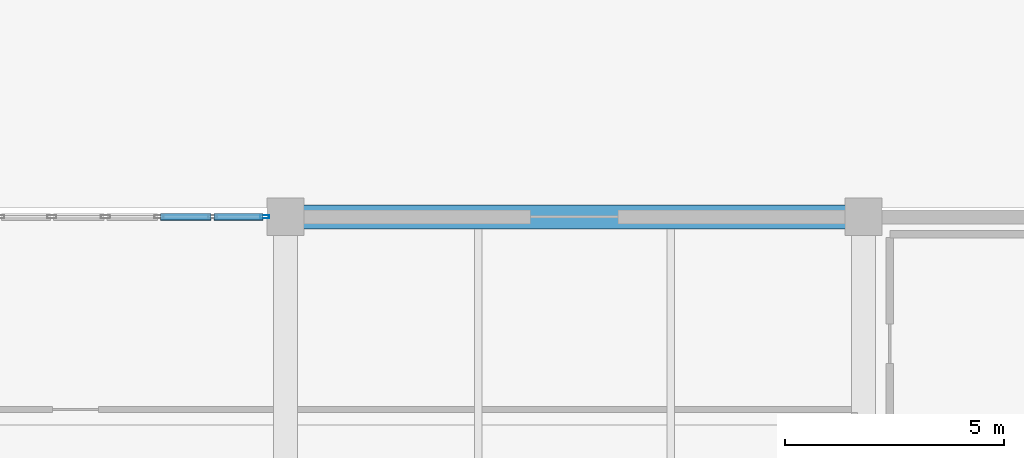
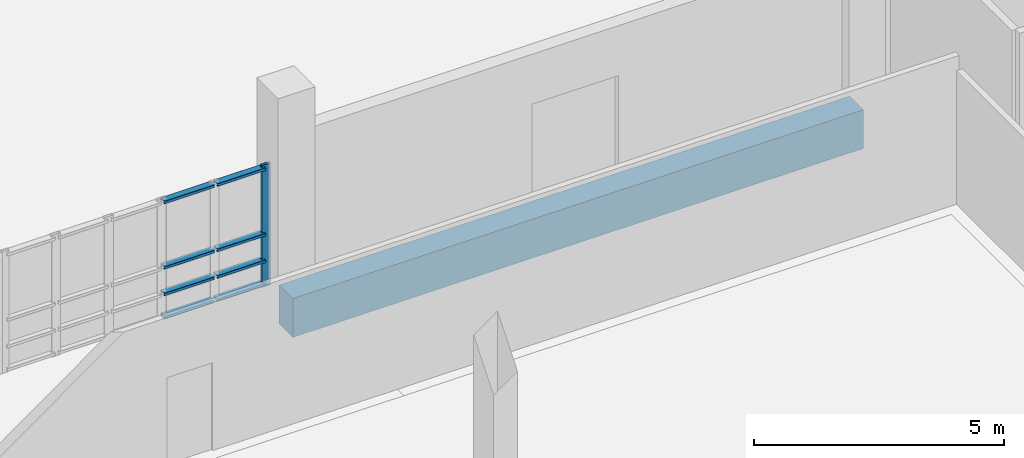
# One storey, part 39 of 97: 9 members, 1 beam, 1 element without a shape of its own.
"""IFC4 building model written with IfcOpenShell, lengths in metres."""

from ifc_helpers import new_model, si_unit, direction, frame, origin, origin_2d, place, context, subcontext, project, spatial, rectangle, hollow_rectangle, extrude, material, layer, layer_set, material_profile, profile_set, type_object, element, aggregate, save


model = new_model("IFC4")

# Units and contexts
model_context = context("Model", 3, precision=1e-05, world=origin(), true_north=direction((0.0, 1.0)))
body_context = subcontext(model_context, "Body", "Model", "MODEL_VIEW")
ifc_project = project(units=[si_unit("LENGTHUNIT", "METRE"), si_unit("AREAUNIT", "SQUARE_METRE"), si_unit("VOLUMEUNIT", "CUBIC_METRE"), si_unit("PLANEANGLEUNIT", "RADIAN"), si_unit("MASSUNIT", "GRAM", prefix="KILO")], contexts=[model_context])

# Site, building, storey
site_placement = place(None, origin())
site = spatial("IfcSite", under=ifc_project, at=site_placement, CompositionType="ELEMENT")
building_placement = place(site_placement, origin())
building = spatial("IfcBuilding", under=site, at=building_placement, Name="Kisaragi Civic Commons", CompositionType="ELEMENT")
storey_placement = place(building_placement, origin())
storey = spatial("IfcBuildingStorey", under=building, at=storey_placement, Name="L00", CompositionType="ELEMENT", Elevation=0.0)

# Curtain wall, members
ifc_material_1 = material(Name="Thermally broken anodized aluminium and low-E double glazing", Category="aluminium")
ifc_layer = layer(ifc_material_1, 0.2099609375, Name="Thermally broken anodized aluminium and low-E double glazing", Category="aluminium")
ifc_layer_set = layer_set([ifc_layer], Name="Thermally broken anodized aluminium and low-E double glazing")
curtain_wall_type = type_object("IfcCurtainWallType", Name="CW-02", PredefinedType="NOTDEFINED", material=ifc_layer_set)
curtain_wall_placement = place(storey_placement, origin())
curtain_wall = element("IfcCurtainWall", 1, at=curtain_wall_placement, inside=storey, type_object=curtain_wall_type, Name="L00 curtain wall CW-02 CW-V3-L00-010", PredefinedType="NOTDEFINED")
ifc_material_profile_1 = material_profile(ifc_material_1, hollow_rectangle(XDim=0.070068359375, YDim=0.2099609375, WallThickness=0.0048828125, InnerFilletRadius=0.0048828125, OuterFilletRadius=0.010009765625, at=origin_2d()), Name="CWM-70x210x5", Category="aluminium")
ifc_profile_set_1 = profile_set([ifc_material_profile_1], Name="Thermally broken anodized aluminium and low-E double glazing")
member_type_1 = type_object("IfcMemberType", Name="CWM-03", PredefinedType="MULLION", material=ifc_profile_set_1)
member_1_placement = place(storey_placement, frame((145.925048828125, 25.199951171875, 0.0), z_axis=(0.0, 0.0, 1.0), x_axis=(0.0, 1.0, 0.0)))
member_1 = element("IfcMember", 2, at=member_1_placement, type_object=member_type_1, Name="CW-02 mullion 6", PredefinedType="MULLION", context=body_context, shape_type="SweptSolid", body=[
    extrude(hollow_rectangle(XDim=0.070068359375, YDim=0.2099609375, WallThickness=0.0048828125, InnerFilletRadius=0.0048828125, OuterFilletRadius=0.010009765625, at=origin_2d()), origin(), (0.0, 0.0, 1.0), 2.97998046875),
])
ifc_material_profile_2 = material_profile(ifc_material_1, hollow_rectangle(XDim=0.159912109375, YDim=0.070068359375, WallThickness=0.0048828125, InnerFilletRadius=0.0048828125, OuterFilletRadius=0.010009765625, at=origin_2d()), Name="CWT-70x160x5", Category="aluminium")
ifc_profile_set_2 = profile_set([ifc_material_profile_2], Name="Thermally broken anodized aluminium and low-E double glazing")
member_type_2 = type_object("IfcMemberType", Name="CWT-03", PredefinedType="USERDEFINED", material=ifc_profile_set_2)
member_2_placement = place(storey_placement, frame((143.547119140625, 25.199951171875, 0.080078125), z_axis=(1.0, 0.0, 0.0), x_axis=(0.0, 1.0, 0.0)))
member_2 = element("IfcMember", 3, at=member_2_placement, type_object=member_type_2, Name="CW-02 transom 4.1", ObjectType="TRANSOM", PredefinedType="USERDEFINED", context=body_context, shape_type="SweptSolid", body=[
    extrude(hollow_rectangle(XDim=0.159912109375, YDim=0.070068359375, WallThickness=0.0048828125, InnerFilletRadius=0.0048828125, OuterFilletRadius=0.010009765625, at=origin_2d()), origin(), (0.0, 0.0, 1.0), 1.15380859375),
])
member_3_placement = place(storey_placement, frame((143.547119140625, 25.199951171875, 0.64990234375), z_axis=(1.0, 0.0, 0.0), x_axis=(0.0, 1.0, 0.0)))
member_3 = element("IfcMember", 4, at=member_3_placement, type_object=member_type_2, Name="CW-02 transom 4.2", ObjectType="TRANSOM", PredefinedType="USERDEFINED", context=body_context, shape_type="SweptSolid", body=[
    extrude(hollow_rectangle(XDim=0.159912109375, YDim=0.070068359375, WallThickness=0.0048828125, InnerFilletRadius=0.0048828125, OuterFilletRadius=0.010009765625, at=origin_2d()), origin(), (0.0, 0.0, 1.0), 1.15380859375),
])
member_4_placement = place(storey_placement, frame((143.547119140625, 25.199951171875, 1.300048828125), z_axis=(1.0, 0.0, 0.0), x_axis=(0.0, 1.0, 0.0)))
member_4 = element("IfcMember", 5, at=member_4_placement, type_object=member_type_2, Name="CW-02 transom 4.3", ObjectType="TRANSOM", PredefinedType="USERDEFINED", context=body_context, shape_type="SweptSolid", body=[
    extrude(hollow_rectangle(XDim=0.159912109375, YDim=0.070068359375, WallThickness=0.0048828125, InnerFilletRadius=0.0048828125, OuterFilletRadius=0.010009765625, at=origin_2d()), origin(), (0.0, 0.0, 1.0), 1.15380859375),
])
member_5_placement = place(storey_placement, frame((143.547119140625, 25.199951171875, 2.89990234375), z_axis=(1.0, 0.0, 0.0), x_axis=(0.0, 1.0, 0.0)))
member_5 = element("IfcMember", 6, at=member_5_placement, type_object=member_type_2, Name="CW-02 transom 4.4", ObjectType="TRANSOM", PredefinedType="USERDEFINED", context=body_context, shape_type="SweptSolid", body=[
    extrude(hollow_rectangle(XDim=0.159912109375, YDim=0.070068359375, WallThickness=0.0048828125, InnerFilletRadius=0.0048828125, OuterFilletRadius=0.010009765625, at=origin_2d()), origin(), (0.0, 0.0, 1.0), 1.15380859375),
])
member_6_placement = place(storey_placement, frame((144.77099609375, 25.199951171875, 0.080078125), z_axis=(1.0, 0.0, 0.0), x_axis=(0.0, 1.0, 0.0)))
member_6 = element("IfcMember", 7, at=member_6_placement, type_object=member_type_2, Name="CW-02 transom 5.1", ObjectType="TRANSOM", PredefinedType="USERDEFINED", context=body_context, shape_type="SweptSolid", body=[
    extrude(hollow_rectangle(XDim=0.159912109375, YDim=0.070068359375, WallThickness=0.0048828125, InnerFilletRadius=0.0048828125, OuterFilletRadius=0.010009765625, at=origin_2d()), origin(), (0.0, 0.0, 1.0), 1.118896484375),
])
member_7_placement = place(storey_placement, frame((144.77099609375, 25.199951171875, 0.64990234375), z_axis=(1.0, 0.0, 0.0), x_axis=(0.0, 1.0, 0.0)))
member_7 = element("IfcMember", 8, at=member_7_placement, type_object=member_type_2, Name="CW-02 transom 5.2", ObjectType="TRANSOM", PredefinedType="USERDEFINED", context=body_context, shape_type="SweptSolid", body=[
    extrude(hollow_rectangle(XDim=0.159912109375, YDim=0.070068359375, WallThickness=0.0048828125, InnerFilletRadius=0.0048828125, OuterFilletRadius=0.010009765625, at=origin_2d()), origin(), (0.0, 0.0, 1.0), 1.118896484375),
])
member_8_placement = place(storey_placement, frame((144.77099609375, 25.199951171875, 1.300048828125), z_axis=(1.0, 0.0, 0.0), x_axis=(0.0, 1.0, 0.0)))
member_8 = element("IfcMember", 9, at=member_8_placement, type_object=member_type_2, Name="CW-02 transom 5.3", ObjectType="TRANSOM", PredefinedType="USERDEFINED", context=body_context, shape_type="SweptSolid", body=[
    extrude(hollow_rectangle(XDim=0.159912109375, YDim=0.070068359375, WallThickness=0.0048828125, InnerFilletRadius=0.0048828125, OuterFilletRadius=0.010009765625, at=origin_2d()), origin(), (0.0, 0.0, 1.0), 1.118896484375),
])
member_9_placement = place(storey_placement, frame((144.77099609375, 25.199951171875, 2.89990234375), z_axis=(1.0, 0.0, 0.0), x_axis=(0.0, 1.0, 0.0)))
member_9 = element("IfcMember", 10, at=member_9_placement, type_object=member_type_2, Name="CW-02 transom 5.4", ObjectType="TRANSOM", PredefinedType="USERDEFINED", context=body_context, shape_type="SweptSolid", body=[
    extrude(hollow_rectangle(XDim=0.159912109375, YDim=0.070068359375, WallThickness=0.0048828125, InnerFilletRadius=0.0048828125, OuterFilletRadius=0.010009765625, at=origin_2d()), origin(), (0.0, 0.0, 1.0), 1.118896484375),
])
aggregate(curtain_wall, [member_1, member_2, member_3, member_4, member_5, member_6, member_7, member_8, member_9])

# Beam
ifc_material_2 = material(Name="Concrete Fc36", Category="concrete")
ifc_material_profile_3 = material_profile(ifc_material_2, rectangle(XDim=0.550048828125, YDim=0.949951171875, at=origin_2d()), Name="RC-550x950", Category="concrete")
ifc_profile_set_3 = profile_set([ifc_material_profile_3], Name="Concrete Fc36")
beam_type = type_object("IfcBeamType", Name="G-01", PredefinedType="BEAM", material=ifc_profile_set_3)
beam_placement = place(storey_placement, frame((146.39990234375, 25.199951171875, -0.800048828125), z_axis=(1.0, 0.0, 0.0), x_axis=(0.0, 1.0, 0.0)))
element("IfcBeam", 11, at=beam_placement, inside=storey, type_object=beam_type, Name="L00 girder G-01 100", PredefinedType="BEAM", context=body_context, shape_type="SweptSolid", body=[
    extrude(rectangle(XDim=0.550048828125, YDim=0.949951171875, at=origin_2d()), origin(), (0.0, 0.0, 1.0), 13.2001953125),
])

save(model, "model.ifc")
